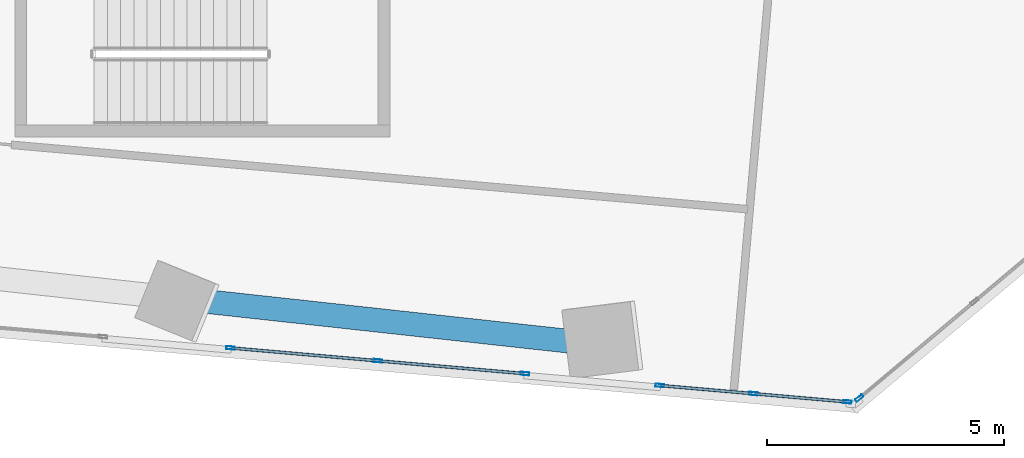
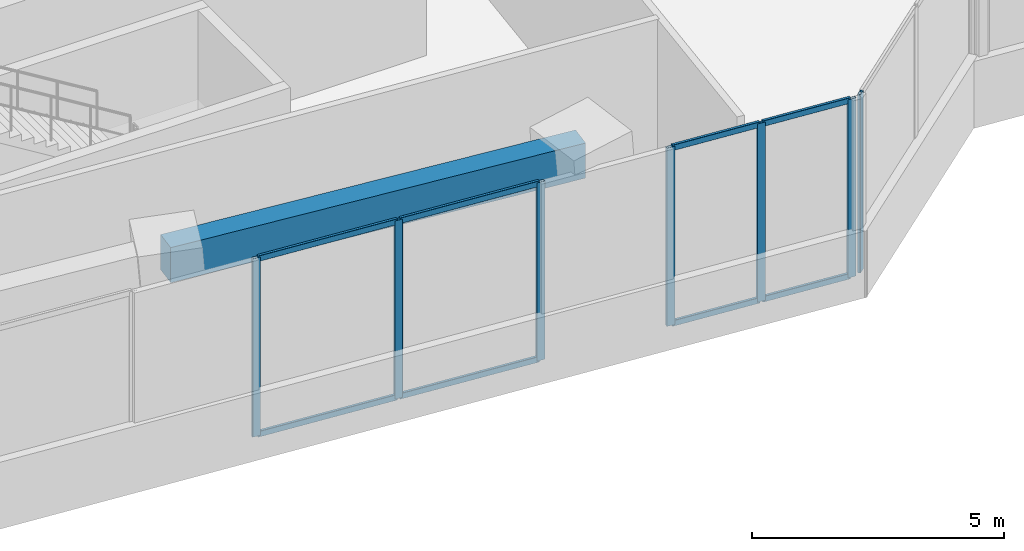
# One storey, part 5 of 24: 15 members, 1 beam, 3 elements without a shape of their own.
"""IFC4 building model written with IfcOpenShell, lengths in metres."""

from ifc_helpers import new_model, si_unit, direction, frame, origin, origin_2d, place, context, subcontext, project, spatial, rectangle, hollow_rectangle, extrude, source, transform, mapped, material, material_profile, profile_set, type_object, element, aggregate, save


model = new_model("IFC4")

# Units and contexts
model_context = context("Model", 3, precision=1e-05, world=origin(), true_north=direction((0.0, 1.0)))
body_context = subcontext(model_context, "Body", "Model", "MODEL_VIEW")
ifc_project = project(units=[si_unit("LENGTHUNIT", "METRE"), si_unit("AREAUNIT", "SQUARE_METRE"), si_unit("VOLUMEUNIT", "CUBIC_METRE"), si_unit("PLANEANGLEUNIT", "RADIAN"), si_unit("MASSUNIT", "GRAM", prefix="KILO")], contexts=[model_context])

# Site, building, storey
site_placement = place(None, origin())
site = spatial("IfcSite", under=ifc_project, at=site_placement, CompositionType="ELEMENT")
building_placement = place(site_placement, origin())
building = spatial("IfcBuilding", under=site, at=building_placement, Name="Torre Montelarca", CompositionType="ELEMENT")
storey_placement = place(building_placement, frame((0.0, 0.0, 52.0)))
storey = spatial("IfcBuildingStorey", under=building, at=storey_placement, Name="L11", CompositionType="ELEMENT", Elevation=52.0)

# Beam
ifc_material_1 = material(Name="Concrete C55/67", Category="concrete")
ifc_material_profile_1 = material_profile(ifc_material_1, rectangle(XDim=0.5, YDim=0.85009765625, at=origin_2d()), Name="RCB500X850", Category="concrete")
ifc_profile_set_1 = profile_set([ifc_material_profile_1], Name="Concrete C55/67")
beam_type = type_object("IfcBeamType", Name="BM-SP-RC850-EXT", PredefinedType="SPANDREL", material=ifc_profile_set_1)
shared_shape_1 = source(origin(), body_context, "Body", "SweptSolid", [
    extrude(rectangle(XDim=0.5, YDim=0.85009765625, at=origin_2d()), origin(), (0.0, 0.0, 1.0), 9.0),
])
beam_placement = place(storey_placement, frame((16.148193359375, 15.283203125, 4.135009765625), z_axis=(0.994057160788, -0.108859363794, 0.0), x_axis=(0.108859363794, 0.994057160788, 0.0)))
element("IfcBeam", 1, at=beam_placement, inside=storey, type_object=beam_type, Name="L11 Grid Girder X 18.0-27.0 at Y=14.8", PredefinedType="SPANDREL", context=body_context, shape_type="MappedRepresentation", body=[
    mapped(shared_shape_1, transform((0.0, 0.0, 0.0), scale=1.0)),
])

# Curtain wall, members
ifc_material_2 = material(Name="Insulated low-E laminated glass", Category="glass")
curtain_wall_type = type_object("IfcCurtainWallType", Name="CW-SYS-Z1", PredefinedType="USERDEFINED", material=ifc_material_2)
curtain_wall_1_placement = place(storey_placement, origin())
curtain_wall_1 = element("IfcCurtainWall", 2, at=curtain_wall_1_placement, inside=storey, type_object=curtain_wall_type, Name="L11 Curtain Wall Run CW-T3-L11-E01-B2", ObjectType="UNITISED GLAZING", PredefinedType="USERDEFINED")
ifc_material_3 = material(Name="Anodised aluminium AA 6063-T6", Category="aluminium")
ifc_material_profile_2 = material_profile(ifc_material_3, hollow_rectangle(XDim=0.06494140625, YDim=0.179931640625, WallThickness=0.00390625, InnerFilletRadius=0.00390625, OuterFilletRadius=0.008056640625, at=origin_2d()), Name="ALU65X180X4", Category="aluminium")
ifc_profile_set_2 = profile_set([ifc_material_profile_2], Name="Anodised aluminium AA 6063-T6")
member_type_1 = type_object("IfcMemberType", Name="CWM-ALU180", PredefinedType="MULLION", material=ifc_profile_set_2)
shared_shape_2 = source(origin(), body_context, "Body", "SweptSolid", [
    extrude(hollow_rectangle(XDim=0.06494140625, YDim=0.179931640625, WallThickness=0.00390625, InnerFilletRadius=0.00390625, OuterFilletRadius=0.008056640625, at=origin_2d()), origin(), (0.0, 0.0, 1.0), 4.320068359375),
])
member_1_placement = place(storey_placement, frame((17.596435546875, 14.20263671875, 0.0), z_axis=(0.0, 0.0, 1.0), x_axis=(0.087158665186, 0.996194442407, 0.0)))
member_1 = element("IfcMember", 3, at=member_1_placement, type_object=member_type_1, Name="CW mullion 1", PredefinedType="MULLION", context=body_context, shape_type="MappedRepresentation", body=[
    mapped(shared_shape_2, transform((0.0, 0.0, 0.0), scale=1.0)),
])
member_2_placement = place(storey_placement, frame((20.6962890625, 13.931396484375, 0.0), z_axis=(0.0, 0.0, 1.0), x_axis=(0.087158665186, 0.996194442407, 0.0)))
member_2 = element("IfcMember", 4, at=member_2_placement, type_object=member_type_1, Name="CW mullion 2", PredefinedType="MULLION", context=body_context, shape_type="MappedRepresentation", body=[
    mapped(shared_shape_2, transform((0.0, 0.0, 0.0), scale=1.0)),
])
member_3_placement = place(storey_placement, frame((23.79638671875, 13.66015625, 0.0), z_axis=(0.0, 0.0, 1.0), x_axis=(0.087158665186, 0.996194442407, 0.0)))
member_3 = element("IfcMember", 5, at=member_3_placement, type_object=member_type_1, Name="CW mullion 3", PredefinedType="MULLION", context=body_context, shape_type="MappedRepresentation", body=[
    mapped(shared_shape_2, transform((0.0, 0.0, 0.0), scale=1.0)),
])

curtain_wall_2_placement = place(storey_placement, origin())
curtain_wall_2 = element("IfcCurtainWall", 6, at=curtain_wall_2_placement, inside=storey, type_object=curtain_wall_type, Name="L11 Curtain Wall Run CW-T3-L11-E01-B3", ObjectType="UNITISED GLAZING", PredefinedType="USERDEFINED")
member_4_placement = place(storey_placement, frame((26.636962890625, 13.41162109375, 0.0), z_axis=(0.0, 0.0, 1.0), x_axis=(0.087165102987, 0.996193879133, 0.0)))
member_4 = element("IfcMember", 7, at=member_4_placement, type_object=member_type_1, Name="CW mullion 1", PredefinedType="MULLION", context=body_context, shape_type="MappedRepresentation", body=[
    mapped(shared_shape_2, transform((0.0, 0.0, 0.0), scale=1.0)),
])
member_5_placement = place(storey_placement, frame((28.611572265625, 13.23876953125, 0.0), z_axis=(0.0, 0.0, 1.0), x_axis=(0.087165102987, 0.996193879133, 0.0)))
member_5 = element("IfcMember", 8, at=member_5_placement, type_object=member_type_1, Name="CW mullion 2", PredefinedType="MULLION", context=body_context, shape_type="MappedRepresentation", body=[
    mapped(shared_shape_2, transform((0.0, 0.0, 0.0), scale=1.0)),
])
member_6_placement = place(storey_placement, frame((30.5859375, 13.06591796875, 0.0), z_axis=(0.0, 0.0, 1.0), x_axis=(0.087165102987, 0.996193879133, 0.0)))
member_6 = element("IfcMember", 9, at=member_6_placement, type_object=member_type_1, Name="CW mullion 3", PredefinedType="MULLION", context=body_context, shape_type="MappedRepresentation", body=[
    mapped(shared_shape_2, transform((0.0, 0.0, 0.0), scale=1.0)),
])

# Curtain wall, member
curtain_wall_3_placement = place(storey_placement, origin())
curtain_wall_3 = element("IfcCurtainWall", 10, at=curtain_wall_3_placement, inside=storey, type_object=curtain_wall_type, Name="L11 Curtain Wall Run CW-T3-L11-E02-B1", ObjectType="UNITISED GLAZING", PredefinedType="USERDEFINED")
member_7_placement = place(storey_placement, frame((30.840576171875, 13.146484375, 0.0), z_axis=(0.0, 0.0, 1.0), x_axis=(-0.642777937498, 0.766052558945, 0.0)))
member_7 = element("IfcMember", 11, at=member_7_placement, type_object=member_type_1, Name="CW mullion 1", PredefinedType="MULLION", context=body_context, shape_type="MappedRepresentation", body=[
    mapped(shared_shape_2, transform((0.0, 0.0, 0.0), scale=1.0)),
])
aggregate(curtain_wall_3, [member_7])

# Member
ifc_material_profile_3 = material_profile(ifc_material_3, hollow_rectangle(XDim=0.06494140625, YDim=0.139892578125, WallThickness=0.00390625, InnerFilletRadius=0.00390625, OuterFilletRadius=0.008056640625, at=origin_2d()), Name="ALU65X140X4", Category="aluminium")
ifc_profile_set_3 = profile_set([ifc_material_profile_3], Name="Anodised aluminium AA 6063-T6")
member_type_2 = type_object("IfcMemberType", Name="CWT-ALU140", PredefinedType="USERDEFINED", material=ifc_profile_set_3)
shared_shape_3 = source(origin(), body_context, "Body", "SweptSolid", [
    extrude(hollow_rectangle(XDim=0.06494140625, YDim=0.139892578125, WallThickness=0.00390625, InnerFilletRadius=0.00390625, OuterFilletRadius=0.008056640625, at=origin_2d()), origin(), (0.0, 0.0, 1.0), 1.9169921875),
])
member_8_placement = place(storey_placement, frame((26.66943359375, 13.40869140625, 0.032470703125), z_axis=(0.996198416208, -0.087113234043, 0.0), x_axis=(0.087113234043, 0.996198416208, 0.0)))
member_8 = element("IfcMember", 12, at=member_8_placement, type_object=member_type_2, Name="CW transom 1.1", ObjectType="TRANSOM", PredefinedType="USERDEFINED", context=body_context, shape_type="MappedRepresentation", body=[
    mapped(shared_shape_3, transform((0.0, 0.0, 0.0), scale=1.0)),
])

member_9_placement = place(storey_placement, frame((26.66943359375, 13.40869140625, 4.28759765625), z_axis=(0.996198416208, -0.087113234043, 0.0), x_axis=(0.087113234043, 0.996198416208, 0.0)))
member_9 = element("IfcMember", 13, at=member_9_placement, type_object=member_type_2, Name="CW transom 1.2", ObjectType="TRANSOM", PredefinedType="USERDEFINED", context=body_context, shape_type="MappedRepresentation", body=[
    mapped(shared_shape_3, transform((0.0, 0.0, 0.0), scale=1.0)),
])

shared_shape_4 = source(origin(), body_context, "Body", "SweptSolid", [
    extrude(hollow_rectangle(XDim=0.06494140625, YDim=0.139892578125, WallThickness=0.00390625, InnerFilletRadius=0.00390625, OuterFilletRadius=0.008056640625, at=origin_2d()), origin(), (0.0, 0.0, 1.0), 3.046875),
])
member_10_placement = place(storey_placement, frame((17.62890625, 14.19970703125, 0.032470703125), z_axis=(0.996192325726, -0.087182854761, 0.0), x_axis=(0.087182854761, 0.996192325726, 0.0)))
member_10 = element("IfcMember", 14, at=member_10_placement, type_object=member_type_2, Name="CW transom 1.1", ObjectType="TRANSOM", PredefinedType="USERDEFINED", context=body_context, shape_type="MappedRepresentation", body=[
    mapped(shared_shape_4, transform((0.0, 0.0, 0.0), scale=1.0)),
])

member_11_placement = place(storey_placement, frame((17.62890625, 14.19970703125, 4.28759765625), z_axis=(0.996192325726, -0.087182854761, 0.0), x_axis=(0.087182854761, 0.996192325726, 0.0)))
member_11 = element("IfcMember", 15, at=member_11_placement, type_object=member_type_2, Name="CW transom 1.2", ObjectType="TRANSOM", PredefinedType="USERDEFINED", context=body_context, shape_type="MappedRepresentation", body=[
    mapped(shared_shape_4, transform((0.0, 0.0, 0.0), scale=1.0)),
])

shared_shape_5 = source(origin(), body_context, "Body", "SweptSolid", [
    extrude(hollow_rectangle(XDim=0.06494140625, YDim=0.139892578125, WallThickness=0.00390625, InnerFilletRadius=0.00390625, OuterFilletRadius=0.008056640625, at=origin_2d()), origin(), (0.0, 0.0, 1.0), 1.917236328125),
])
member_12_placement = place(storey_placement, frame((28.643798828125, 13.236083984375, 0.032470703125), z_axis=(0.996188324975, -0.087228557153, 0.0), x_axis=(0.087228557153, 0.996188324975, 0.0)))
member_12 = element("IfcMember", 16, at=member_12_placement, type_object=member_type_2, Name="CW transom 2.1", ObjectType="TRANSOM", PredefinedType="USERDEFINED", context=body_context, shape_type="MappedRepresentation", body=[
    mapped(shared_shape_5, transform((0.0, 0.0, 0.0), scale=1.0)),
])

member_13_placement = place(storey_placement, frame((28.643798828125, 13.236083984375, 4.28759765625), z_axis=(0.996188324975, -0.087228557153, 0.0), x_axis=(0.087228557153, 0.996188324975, 0.0)))
member_13 = element("IfcMember", 17, at=member_13_placement, type_object=member_type_2, Name="CW transom 2.2", ObjectType="TRANSOM", PredefinedType="USERDEFINED", context=body_context, shape_type="MappedRepresentation", body=[
    mapped(shared_shape_5, transform((0.0, 0.0, 0.0), scale=1.0)),
])

aggregate(curtain_wall_2, [member_4, member_5, member_6, member_8, member_9, member_12, member_13])

shared_shape_6 = source(origin(), body_context, "Body", "SweptSolid", [
    extrude(hollow_rectangle(XDim=0.06494140625, YDim=0.139892578125, WallThickness=0.00390625, InnerFilletRadius=0.00390625, OuterFilletRadius=0.008056640625, at=origin_2d()), origin(), (0.0, 0.0, 1.0), 3.046630859375),
])
member_14_placement = place(storey_placement, frame((20.728759765625, 13.928466796875, 0.032470703125), z_axis=(0.996199282076, -0.087103331694, 0.0), x_axis=(0.087103331694, 0.996199282076, 0.0)))
member_14 = element("IfcMember", 18, at=member_14_placement, type_object=member_type_2, Name="CW transom 2.1", ObjectType="TRANSOM", PredefinedType="USERDEFINED", context=body_context, shape_type="MappedRepresentation", body=[
    mapped(shared_shape_6, transform((0.0, 0.0, 0.0), scale=1.0)),
])

member_15_placement = place(storey_placement, frame((20.728759765625, 13.928466796875, 4.28759765625), z_axis=(0.996199282076, -0.087103331694, 0.0), x_axis=(0.087103331694, 0.996199282076, 0.0)))
member_15 = element("IfcMember", 19, at=member_15_placement, type_object=member_type_2, Name="CW transom 2.2", ObjectType="TRANSOM", PredefinedType="USERDEFINED", context=body_context, shape_type="MappedRepresentation", body=[
    mapped(shared_shape_6, transform((0.0, 0.0, 0.0), scale=1.0)),
])

aggregate(curtain_wall_1, [member_1, member_2, member_3, member_10, member_11, member_14, member_15])

save(model, "model.ifc")
